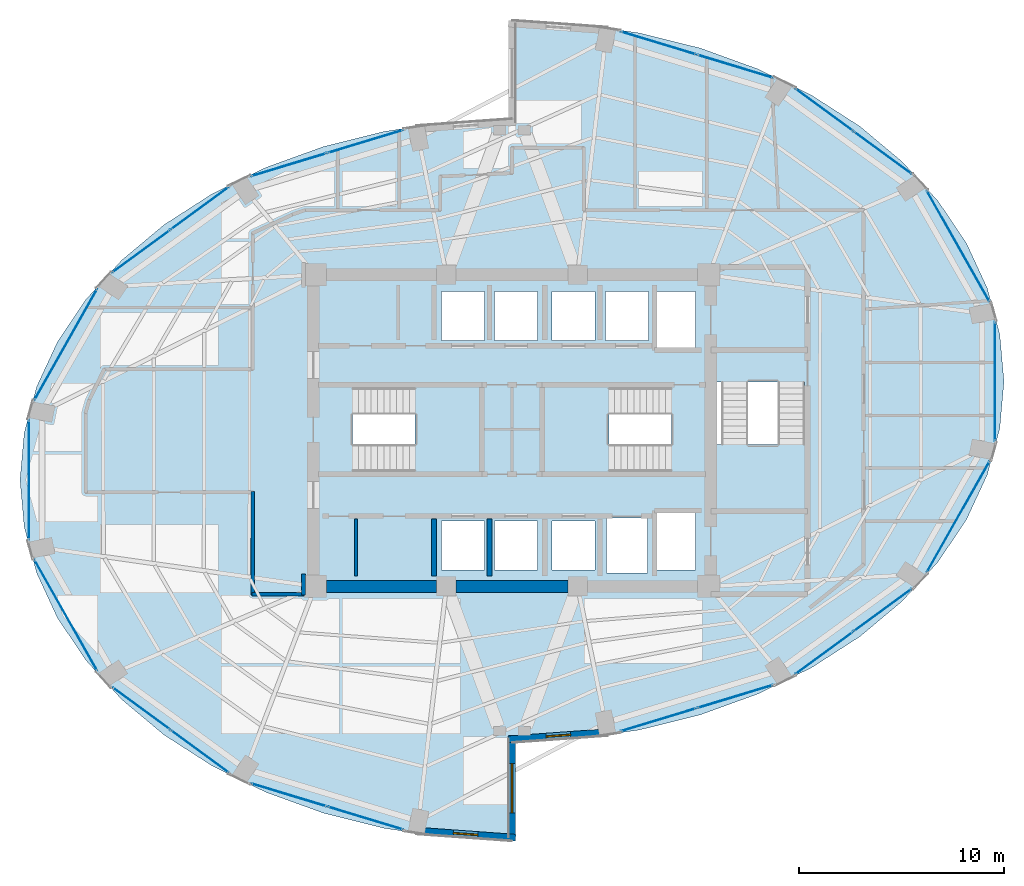
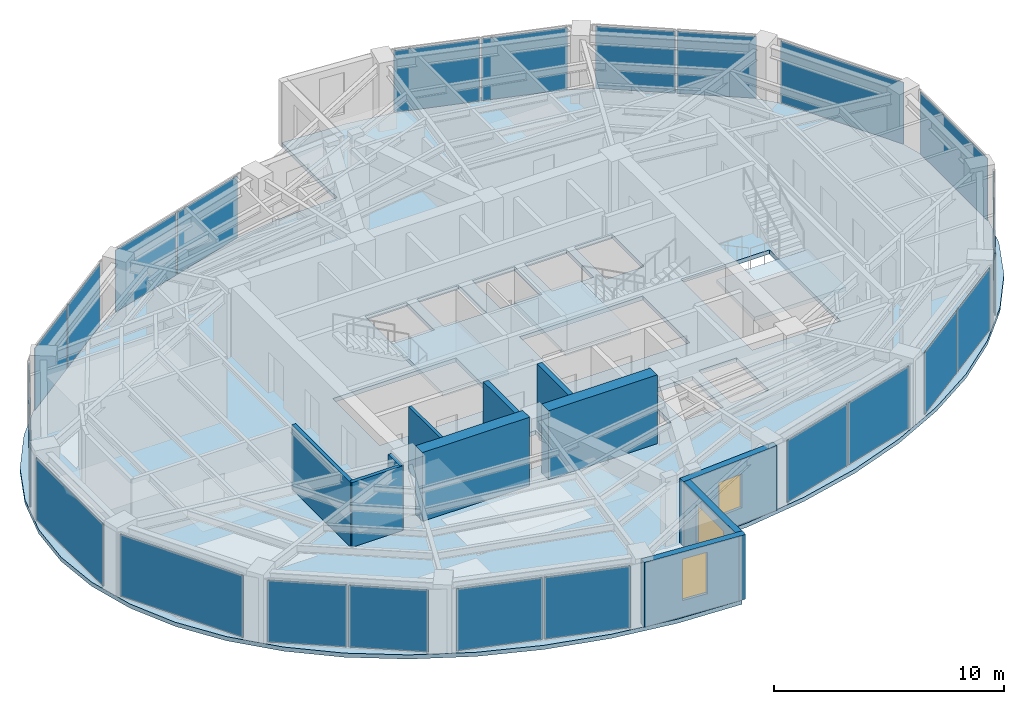
# One storey, part 15 of 20: 22 plates, 11 walls, 4 slabs, 3 windows, 3 openings, 17 elements without a shape of their own.
"""IFC4 building model written with IfcOpenShell, lengths in metres."""

from ifc_helpers import new_model, si_unit, direction, frame, frame_2d, origin, origin_2d, place, context, subcontext, project, spatial, polyline, rectangle, outline, extrude, material, layer, layer_set, type_object, element, fill, aggregate, save


model = new_model("IFC4")

# Units and contexts
model_context = context("Model", 3, precision=1e-05, world=origin(), true_north=direction((0.0, 1.0)))
body_context = subcontext(model_context, "Body", "Model", "MODEL_VIEW")
ifc_project = project(units=[si_unit("LENGTHUNIT", "METRE"), si_unit("AREAUNIT", "SQUARE_METRE"), si_unit("VOLUMEUNIT", "CUBIC_METRE"), si_unit("PLANEANGLEUNIT", "RADIAN"), si_unit("MASSUNIT", "GRAM", prefix="KILO")], contexts=[model_context])

# Site, building, storey
site_placement = place(None, origin())
site = spatial("IfcSite", under=ifc_project, at=site_placement, CompositionType="ELEMENT")
building_placement = place(site_placement, origin())
building = spatial("IfcBuilding", under=site, at=building_placement, Name="Lazwardi Medical Tower", CompositionType="ELEMENT")
storey_placement = place(building_placement, frame((0.0, 0.0, 160.176025390625)))
storey = spatial("IfcBuildingStorey", under=building, at=storey_placement, Name="L41", CompositionType="ELEMENT", Elevation=160.176025390625)

# Curtain wall, plates
ifc_material_1 = material(Name="Anodised bronze aluminium and solar control glazing", Category="aluminium")
ifc_layer_1 = layer(ifc_material_1, 0.195068359375)
ifc_layer_set_1 = layer_set([ifc_layer_1], Name="Anodised bronze aluminium and solar control glazing")
curtain_wall_type = type_object("IfcCurtainWallType", Name="CW-SYS-03", PredefinedType="NOTDEFINED", material=ifc_layer_set_1)
curtain_wall_1_placement = place(storey_placement, origin())
curtain_wall_1 = element("IfcCurtainWall", 1, at=curtain_wall_1_placement, inside=storey, type_object=curtain_wall_type, Name="L41 Unitised bronze curtain wall CW-03", PredefinedType="NOTDEFINED")
ifc_material_2 = material(Name="Low-e bronze solar control double glazing", Category="glass")
ifc_layer_2 = layer(ifc_material_2, 0.035888671875)
ifc_layer_set_2 = layer_set([ifc_layer_2], Name="Low-e bronze solar control double glazing")
plate_type = type_object("IfcPlateType", Name="PLT-GLZ-01", PredefinedType="CURTAIN_PANEL", material=ifc_layer_set_2)
plate_1_placement = place(storey_placement, frame((43.1435546875, 13.8935546875, 0.07470703125), z_axis=(0.0, 0.0, 1.0), x_axis=(0.956941516292, 0.290280785441, 0.0)))
plate_1 = element("IfcPlate", 2, at=plate_1_placement, type_object=plate_type, Name="CW-03 panel 1.1", PredefinedType="CURTAIN_PANEL", context=body_context, shape_type="SweptSolid", body=[
    extrude(rectangle(XDim=3.83642578125, YDim=0.035888671875, at=origin_2d()), origin(), (0.0, 0.0, 1.0), 3.278076171875),
])
plate_2_placement = place(storey_placement, frame((46.88671875, 15.029052734375, 0.07470703125), z_axis=(0.0, 0.0, 1.0), x_axis=(0.956941516292, 0.290280785441, 0.0)))
plate_2 = element("IfcPlate", 3, at=plate_2_placement, type_object=plate_type, Name="CW-03 panel 2.1", PredefinedType="CURTAIN_PANEL", context=body_context, shape_type="SweptSolid", body=[
    extrude(rectangle(XDim=3.83642578125, YDim=0.035888671875, at=origin_2d()), origin(), (0.0, 0.0, 1.0), 3.278076171875),
])
aggregate(curtain_wall_1, [plate_1, plate_2])

curtain_wall_2_placement = place(storey_placement, origin())
curtain_wall_2 = element("IfcCurtainWall", 4, at=curtain_wall_2_placement, inside=storey, type_object=curtain_wall_type, Name="L41 Unitised bronze curtain wall CW-03", PredefinedType="NOTDEFINED")
plate_3_placement = place(storey_placement, frame((51.2265625, 17.153076171875, 0.07470703125), z_axis=(0.0, 0.0, 1.0), x_axis=(0.806793249082, 0.590833862635, 0.0)))
plate_3 = element("IfcPlate", 5, at=plate_3_placement, type_object=plate_type, Name="CW-03 panel 1.1", PredefinedType="CURTAIN_PANEL", context=body_context, shape_type="SweptSolid", body=[
    extrude(rectangle(XDim=3.472412109375, YDim=0.035888671875, at=origin_2d()), origin(), (0.0, 0.0, 1.0), 3.278076171875),
])
plate_4_placement = place(storey_placement, frame((54.088623046875, 19.2490234375, 0.07470703125), z_axis=(0.0, 0.0, 1.0), x_axis=(0.806793249082, 0.590833862635, 0.0)))
plate_4 = element("IfcPlate", 6, at=plate_4_placement, type_object=plate_type, Name="CW-03 panel 2.1", PredefinedType="CURTAIN_PANEL", context=body_context, shape_type="SweptSolid", body=[
    extrude(rectangle(XDim=3.472412109375, YDim=0.035888671875, at=origin_2d()), origin(), (0.0, 0.0, 1.0), 3.278076171875),
])
aggregate(curtain_wall_2, [plate_3, plate_4])

# Curtain wall, plate
curtain_wall_3_placement = place(storey_placement, origin())
curtain_wall_3 = element("IfcCurtainWall", 7, at=curtain_wall_3_placement, inside=storey, type_object=curtain_wall_type, Name="L41 Unitised bronze curtain wall CW-03", PredefinedType="NOTDEFINED")
plate_5_placement = place(storey_placement, frame((57.764404296875, 23.798095703125, 0.07470703125), z_axis=(0.0, 0.0, 1.0), x_axis=(0.492311672683, 0.870418989303, 0.0)))
plate_5 = element("IfcPlate", 8, at=plate_5_placement, type_object=plate_type, Name="CW-03 panel 1.1", PredefinedType="CURTAIN_PANEL", context=body_context, shape_type="SweptSolid", body=[
    extrude(rectangle(XDim=6.208740234375, YDim=0.035888671875, at=origin_2d()), origin(), (0.0, 0.0, 1.0), 3.278076171875),
])
aggregate(curtain_wall_3, [plate_5])

curtain_wall_4_placement = place(storey_placement, origin())
curtain_wall_4 = element("IfcCurtainWall", 9, at=curtain_wall_4_placement, inside=storey, type_object=curtain_wall_type, Name="L41 Unitised bronze curtain wall CW-03", PredefinedType="NOTDEFINED")
plate_6_placement = place(storey_placement, frame((59.5576171875, 30.39990234375, 0.07470703125), z_axis=(0.0, 0.0, 1.0), x_axis=(0.0, 1.0, 0.0)))
plate_6 = element("IfcPlate", 10, at=plate_6_placement, type_object=plate_type, Name="CW-03 panel 1.1", PredefinedType="CURTAIN_PANEL", context=body_context, shape_type="SweptSolid", body=[
    extrude(rectangle(XDim=5.8408203125, YDim=0.035888671875, at=origin_2d()), origin(), (0.0, 0.0, 1.0), 3.278076171875),
])
aggregate(curtain_wall_4, [plate_6])

curtain_wall_5_placement = place(storey_placement, origin())
curtain_wall_5 = element("IfcCurtainWall", 11, at=curtain_wall_5_placement, inside=storey, type_object=curtain_wall_type, Name="L41 Unitised bronze curtain wall CW-03", PredefinedType="NOTDEFINED")
plate_7_placement = place(storey_placement, frame((57.764404296875, 37.001953125, 0.07470703125), z_axis=(0.0, 0.0, 1.0), x_axis=(-0.492311672683, 0.870418989303, 0.0)))
plate_7 = element("IfcPlate", 12, at=plate_7_placement, type_object=plate_type, Name="CW-03 panel 1.1", PredefinedType="CURTAIN_PANEL", context=body_context, shape_type="SweptSolid", body=[
    extrude(rectangle(XDim=6.208740234375, YDim=0.035888671875, at=origin_2d()), origin(), (0.0, 0.0, 1.0), 3.278076171875),
])
aggregate(curtain_wall_5, [plate_7])

# Curtain wall, plates
curtain_wall_6_placement = place(storey_placement, origin())
curtain_wall_6 = element("IfcCurtainWall", 13, at=curtain_wall_6_placement, inside=storey, type_object=curtain_wall_type, Name="L41 Unitised bronze curtain wall CW-03", PredefinedType="NOTDEFINED")
plate_8_placement = place(storey_placement, frame((54.088623046875, 41.551025390625, 0.07470703125), z_axis=(0.0, 0.0, 1.0), x_axis=(-0.806793249082, 0.590833862635, 0.0)))
plate_8 = element("IfcPlate", 14, at=plate_8_placement, type_object=plate_type, Name="CW-03 panel 1.1", PredefinedType="CURTAIN_PANEL", context=body_context, shape_type="SweptSolid", body=[
    extrude(rectangle(XDim=3.472412109375, YDim=0.035888671875, at=origin_2d()), origin(), (0.0, 0.0, 1.0), 3.278076171875),
])
plate_9_placement = place(storey_placement, frame((51.2265625, 43.64697265625, 0.07470703125), z_axis=(0.0, 0.0, 1.0), x_axis=(-0.806793249082, 0.590833862635, 0.0)))
plate_9 = element("IfcPlate", 15, at=plate_9_placement, type_object=plate_type, Name="CW-03 panel 2.1", PredefinedType="CURTAIN_PANEL", context=body_context, shape_type="SweptSolid", body=[
    extrude(rectangle(XDim=3.472412109375, YDim=0.035888671875, at=origin_2d()), origin(), (0.0, 0.0, 1.0), 3.278076171875),
])
aggregate(curtain_wall_6, [plate_8, plate_9])

curtain_wall_7_placement = place(storey_placement, origin())
curtain_wall_7 = element("IfcCurtainWall", 16, at=curtain_wall_7_placement, inside=storey, type_object=curtain_wall_type, Name="L41 Unitised bronze curtain wall CW-03", PredefinedType="NOTDEFINED")
plate_10_placement = place(storey_placement, frame((46.88671875, 45.77099609375, 0.07470703125), z_axis=(0.0, 0.0, 1.0), x_axis=(-0.956941516292, 0.290280785441, 0.0)))
plate_10 = element("IfcPlate", 17, at=plate_10_placement, type_object=plate_type, Name="CW-03 panel 1.1", PredefinedType="CURTAIN_PANEL", context=body_context, shape_type="SweptSolid", body=[
    extrude(rectangle(XDim=3.83642578125, YDim=0.035888671875, at=origin_2d()), origin(), (0.0, 0.0, 1.0), 3.278076171875),
])
plate_11_placement = place(storey_placement, frame((43.1435546875, 46.906494140625, 0.07470703125), z_axis=(0.0, 0.0, 1.0), x_axis=(-0.956941516292, 0.290280785441, 0.0)))
plate_11 = element("IfcPlate", 18, at=plate_11_placement, type_object=plate_type, Name="CW-03 panel 2.1", PredefinedType="CURTAIN_PANEL", context=body_context, shape_type="SweptSolid", body=[
    extrude(rectangle(XDim=3.83642578125, YDim=0.035888671875, at=origin_2d()), origin(), (0.0, 0.0, 1.0), 3.278076171875),
])
aggregate(curtain_wall_7, [plate_10, plate_11])

curtain_wall_8_placement = place(storey_placement, origin())
curtain_wall_8 = element("IfcCurtainWall", 19, at=curtain_wall_8_placement, inside=storey, type_object=curtain_wall_type, Name="L41 Unitised bronze curtain wall CW-03", PredefinedType="NOTDEFINED")
plate_12_placement = place(storey_placement, frame((28.8564453125, 42.1064453125, 0.07470703125), z_axis=(0.0, 0.0, 1.0), x_axis=(-0.956941516292, -0.290280785441, 0.0)))
plate_12 = element("IfcPlate", 20, at=plate_12_placement, type_object=plate_type, Name="CW-03 panel 1.1", PredefinedType="CURTAIN_PANEL", context=body_context, shape_type="SweptSolid", body=[
    extrude(rectangle(XDim=3.83642578125, YDim=0.035888671875, at=origin_2d()), origin(), (0.0, 0.0, 1.0), 3.278076171875),
])
plate_13_placement = place(storey_placement, frame((25.11328125, 40.970947265625, 0.07470703125), z_axis=(0.0, 0.0, 1.0), x_axis=(-0.956941516292, -0.290280785441, 0.0)))
plate_13 = element("IfcPlate", 21, at=plate_13_placement, type_object=plate_type, Name="CW-03 panel 2.1", PredefinedType="CURTAIN_PANEL", context=body_context, shape_type="SweptSolid", body=[
    extrude(rectangle(XDim=3.83642578125, YDim=0.035888671875, at=origin_2d()), origin(), (0.0, 0.0, 1.0), 3.278076171875),
])
aggregate(curtain_wall_8, [plate_12, plate_13])

curtain_wall_9_placement = place(storey_placement, origin())
curtain_wall_9 = element("IfcCurtainWall", 22, at=curtain_wall_9_placement, inside=storey, type_object=curtain_wall_type, Name="L41 Unitised bronze curtain wall CW-03", PredefinedType="NOTDEFINED")
plate_14_placement = place(storey_placement, frame((20.7734375, 38.846923828125, 0.07470703125), z_axis=(0.0, 0.0, 1.0), x_axis=(-0.806793249082, -0.590833862635, 0.0)))
plate_14 = element("IfcPlate", 23, at=plate_14_placement, type_object=plate_type, Name="CW-03 panel 1.1", PredefinedType="CURTAIN_PANEL", context=body_context, shape_type="SweptSolid", body=[
    extrude(rectangle(XDim=3.472412109375, YDim=0.035888671875, at=origin_2d()), origin(), (0.0, 0.0, 1.0), 3.278076171875),
])
plate_15_placement = place(storey_placement, frame((17.911376953125, 36.7509765625, 0.07470703125), z_axis=(0.0, 0.0, 1.0), x_axis=(-0.806793249082, -0.590833862635, 0.0)))
plate_15 = element("IfcPlate", 24, at=plate_15_placement, type_object=plate_type, Name="CW-03 panel 2.1", PredefinedType="CURTAIN_PANEL", context=body_context, shape_type="SweptSolid", body=[
    extrude(rectangle(XDim=3.472412109375, YDim=0.035888671875, at=origin_2d()), origin(), (0.0, 0.0, 1.0), 3.278076171875),
])
aggregate(curtain_wall_9, [plate_14, plate_15])

# Curtain wall, plate
curtain_wall_10_placement = place(storey_placement, origin())
curtain_wall_10 = element("IfcCurtainWall", 25, at=curtain_wall_10_placement, inside=storey, type_object=curtain_wall_type, Name="L41 Unitised bronze curtain wall CW-03", PredefinedType="NOTDEFINED")
plate_16_placement = place(storey_placement, frame((14.235595703125, 32.201904296875, 0.07470703125), z_axis=(0.0, 0.0, 1.0), x_axis=(-0.492311672683, -0.870418989303, 0.0)))
plate_16 = element("IfcPlate", 26, at=plate_16_placement, type_object=plate_type, Name="CW-03 panel 1.1", PredefinedType="CURTAIN_PANEL", context=body_context, shape_type="SweptSolid", body=[
    extrude(rectangle(XDim=6.208740234375, YDim=0.035888671875, at=origin_2d()), origin(), (0.0, 0.0, 1.0), 3.278076171875),
])
aggregate(curtain_wall_10, [plate_16])

curtain_wall_11_placement = place(storey_placement, origin())
curtain_wall_11 = element("IfcCurtainWall", 27, at=curtain_wall_11_placement, inside=storey, type_object=curtain_wall_type, Name="L41 Unitised bronze curtain wall CW-03", PredefinedType="NOTDEFINED")
plate_17_placement = place(storey_placement, frame((12.4423828125, 25.60009765625, 0.07470703125), z_axis=(0.0, 0.0, 1.0), x_axis=(0.0, -1.0, 0.0)))
plate_17 = element("IfcPlate", 28, at=plate_17_placement, type_object=plate_type, Name="CW-03 panel 1.1", PredefinedType="CURTAIN_PANEL", context=body_context, shape_type="SweptSolid", body=[
    extrude(rectangle(XDim=5.8408203125, YDim=0.035888671875, at=origin_2d()), origin(), (0.0, 0.0, 1.0), 3.278076171875),
])
aggregate(curtain_wall_11, [plate_17])

curtain_wall_12_placement = place(storey_placement, origin())
curtain_wall_12 = element("IfcCurtainWall", 29, at=curtain_wall_12_placement, inside=storey, type_object=curtain_wall_type, Name="L41 Unitised bronze curtain wall CW-03", PredefinedType="NOTDEFINED")
plate_18_placement = place(storey_placement, frame((14.235595703125, 18.998046875, 0.07470703125), z_axis=(0.0, 0.0, 1.0), x_axis=(0.492311672683, -0.870418989303, 0.0)))
plate_18 = element("IfcPlate", 30, at=plate_18_placement, type_object=plate_type, Name="CW-03 panel 1.1", PredefinedType="CURTAIN_PANEL", context=body_context, shape_type="SweptSolid", body=[
    extrude(rectangle(XDim=6.208740234375, YDim=0.035888671875, at=origin_2d()), origin(), (0.0, 0.0, 1.0), 3.278076171875),
])
aggregate(curtain_wall_12, [plate_18])

# Curtain wall, plates
curtain_wall_13_placement = place(storey_placement, origin())
curtain_wall_13 = element("IfcCurtainWall", 31, at=curtain_wall_13_placement, inside=storey, type_object=curtain_wall_type, Name="L41 Unitised bronze curtain wall CW-03", PredefinedType="NOTDEFINED")
plate_19_placement = place(storey_placement, frame((17.911376953125, 14.448974609375, 0.07470703125), z_axis=(0.0, 0.0, 1.0), x_axis=(0.806793249082, -0.590833862635, 0.0)))
plate_19 = element("IfcPlate", 32, at=plate_19_placement, type_object=plate_type, Name="CW-03 panel 1.1", PredefinedType="CURTAIN_PANEL", context=body_context, shape_type="SweptSolid", body=[
    extrude(rectangle(XDim=3.472412109375, YDim=0.035888671875, at=origin_2d()), origin(), (0.0, 0.0, 1.0), 3.278076171875),
])
plate_20_placement = place(storey_placement, frame((20.7734375, 12.35302734375, 0.07470703125), z_axis=(0.0, 0.0, 1.0), x_axis=(0.806793249082, -0.590833862635, 0.0)))
plate_20 = element("IfcPlate", 33, at=plate_20_placement, type_object=plate_type, Name="CW-03 panel 2.1", PredefinedType="CURTAIN_PANEL", context=body_context, shape_type="SweptSolid", body=[
    extrude(rectangle(XDim=3.472412109375, YDim=0.035888671875, at=origin_2d()), origin(), (0.0, 0.0, 1.0), 3.278076171875),
])
aggregate(curtain_wall_13, [plate_19, plate_20])

curtain_wall_14_placement = place(storey_placement, origin())
curtain_wall_14 = element("IfcCurtainWall", 34, at=curtain_wall_14_placement, inside=storey, type_object=curtain_wall_type, Name="L41 Unitised bronze curtain wall CW-03", PredefinedType="NOTDEFINED")
plate_21_placement = place(storey_placement, frame((25.11328125, 10.22900390625, 0.07470703125), z_axis=(0.0, 0.0, 1.0), x_axis=(0.956941516292, -0.290280785441, 0.0)))
plate_21 = element("IfcPlate", 35, at=plate_21_placement, type_object=plate_type, Name="CW-03 panel 1.1", PredefinedType="CURTAIN_PANEL", context=body_context, shape_type="SweptSolid", body=[
    extrude(rectangle(XDim=3.83642578125, YDim=0.035888671875, at=origin_2d()), origin(), (0.0, 0.0, 1.0), 3.278076171875),
])
plate_22_placement = place(storey_placement, frame((28.8564453125, 9.093505859375, 0.07470703125), z_axis=(0.0, 0.0, 1.0), x_axis=(0.956941516292, -0.290280785441, 0.0)))
plate_22 = element("IfcPlate", 36, at=plate_22_placement, type_object=plate_type, Name="CW-03 panel 2.1", PredefinedType="CURTAIN_PANEL", context=body_context, shape_type="SweptSolid", body=[
    extrude(rectangle(XDim=3.83642578125, YDim=0.035888671875, at=origin_2d()), origin(), (0.0, 0.0, 1.0), 3.278076171875),
])
aggregate(curtain_wall_14, [plate_21, plate_22])

# Stair, slab
ifc_material_3 = material(Name="Concrete C45/55", Category="concrete")
stair_type = type_object("IfcStairType", Name="STR-WRD", PredefinedType="HALF_TURN_STAIR", material=ifc_material_3)
stair_1_placement = place(storey_placement, origin())
stair_1 = element("IfcStair", 37, at=stair_1_placement, inside=storey, type_object=stair_type, Name="L41 Protected Exit Stair ST1", PredefinedType="HALF_TURN_STAIR")
ifc_layer_3 = layer(ifc_material_3, 0.199951171875)
ifc_layer_set_3 = layer_set([ifc_layer_3], Name="Concrete C45/55")
slab_type_1 = type_object("IfcSlabType", Name="SLB-LND-190", PredefinedType="LANDING", material=ifc_layer_set_3)
slab_1_placement = place(storey_placement, frame((0.0, 0.0, 1.6240234375)))
slab_1 = element("IfcSlab", 38, at=slab_1_placement, type_object=slab_type_1, Name="ST1 landing 1", PredefinedType="LANDING", context=body_context, shape_type="SweptSolid", body=[
    extrude(outline(polyline([(31.27490234375, 25.840087890625), (34.580078125, 25.840087890625), (34.580078125, 30.280029296875), (31.27490234375, 30.280029296875), (31.27490234375, 25.840087890625)])), origin(), (0.0, 0.0, 1.0), 0.199951171875),
])
aggregate(stair_1, [slab_1])

stair_2_placement = place(storey_placement, origin())
stair_2 = element("IfcStair", 39, at=stair_2_placement, inside=storey, type_object=stair_type, Name="L41 Protected Exit Stair ST2", PredefinedType="HALF_TURN_STAIR")
slab_2_placement = place(storey_placement, frame((0.0, 0.0, 1.6240234375)))
slab_2 = element("IfcSlab", 40, at=slab_2_placement, type_object=slab_type_1, Name="ST2 landing 1", PredefinedType="LANDING", context=body_context, shape_type="SweptSolid", body=[
    extrude(outline(polyline([(40.72509765625, 30.280029296875), (37.419921875, 30.280029296875), (37.419921875, 25.840087890625), (40.72509765625, 25.840087890625), (40.72509765625, 30.280029296875)])), origin(), (0.0, 0.0, 1.0), 0.199951171875),
])
aggregate(stair_2, [slab_2])

stair_3_placement = place(storey_placement, origin())
stair_3 = element("IfcStair", 41, at=stair_3_placement, inside=storey, type_object=stair_type, Name="L41 Protected Exit Stair ST3", PredefinedType="HALF_TURN_STAIR")
slab_3_placement = place(storey_placement, frame((0.0, 0.0, 1.6240234375)))
slab_3 = element("IfcSlab", 42, at=slab_3_placement, type_object=slab_type_1, Name="ST3 landing 1", PredefinedType="LANDING", context=body_context, shape_type="SweptSolid", body=[
    extrude(outline(polyline([(45.860107421875, 27.324951171875), (45.860107421875, 24.02001953125), (50.4599609375, 24.02001953125), (50.4599609375, 27.324951171875), (45.860107421875, 27.324951171875)])), origin(), (0.0, 0.0, 1.0), 0.199951171875),
])
aggregate(stair_3, [slab_3])

# Slab
ifc_material_4 = material(Name="Concrete C50/60", Category="concrete")
ifc_layer_4 = layer(ifc_material_4, 0.219970703125)
ifc_layer_set_4 = layer_set([ifc_layer_4], Name="Concrete C50/60")
slab_type_2 = type_object("IfcSlabType", Name="SLB-WRD-220", PredefinedType="FLOOR", material=ifc_layer_set_4)
slab_4_placement = place(storey_placement, frame((0.0, 0.0, -0.219970703125)))
element("IfcSlab", 43, at=slab_4_placement, inside=storey, type_object=slab_type_2, Name="Structural floor slab SF-03 L41", PredefinedType="FLOOR", context=body_context, shape_type="SweptSolid", body=[
    extrude(outline(polyline([(12.205322265625, 23.302734375), (12.81787109375, 21.044921875), (13.826904296875, 18.86474609375), (15.21533203125, 16.800048828125), (16.95947265625, 14.8857421875), (19.029296875, 13.15478515625), (21.3896484375, 11.636962890625), (24.0, 10.35791015625), (26.815673828125, 9.339599609375), (29.788330078125, 8.599609375), (32.867431640625, 8.150634765625), (36.0, 8.0), (36.0, 12.800048828125), (39.132568359375, 12.95068359375), (42.211669921875, 13.399658203125), (45.184326171875, 14.1396484375), (48.0, 15.157958984375), (50.6103515625, 16.43701171875), (52.970703125, 17.954833984375), (55.04052734375, 19.685791015625), (56.78466796875, 21.60009765625), (58.173095703125, 23.664794921875), (59.18212890625, 25.8447265625), (59.794677734375, 28.102783203125), (60.0, 30.39990234375), (59.794677734375, 32.697265625), (59.18212890625, 34.955078125), (58.173095703125, 37.13525390625), (56.78466796875, 39.199951171875), (55.04052734375, 41.1142578125), (52.970703125, 42.84521484375), (50.6103515625, 44.363037109375), (48.0, 45.64208984375), (45.184326171875, 46.660400390625), (42.211669921875, 47.400390625), (39.132568359375, 47.849365234375), (36.0, 48.0), (36.0, 43.199951171875), (32.867431640625, 43.04931640625), (29.788330078125, 42.600341796875), (26.815673828125, 41.8603515625), (24.0, 40.842041015625), (21.3896484375, 39.56298828125), (19.029296875, 38.045166015625), (16.95947265625, 36.314208984375), (15.21533203125, 34.39990234375), (13.826904296875, 32.335205078125), (12.81787109375, 30.1552734375), (12.205322265625, 27.897216796875), (12.0, 25.60009765625), (12.205322265625, 23.302734375)]), holes=[polyline([(28.22509765625, 26.02001953125), (28.22509765625, 30.10009765625), (34.39990234375, 30.10009765625), (34.39990234375, 26.02001953125), (28.22509765625, 26.02001953125)]), polyline([(37.60009765625, 30.10009765625), (43.77490234375, 30.10009765625), (43.77490234375, 26.02001953125), (37.60009765625, 26.02001953125), (37.60009765625, 30.10009765625)]), polyline([(50.280029296875, 30.375), (50.280029296875, 24.179931640625), (45.840087890625, 24.179931640625), (45.840087890625, 30.375), (50.280029296875, 30.375)]), polyline([(34.64990234375, 32.39990234375), (32.550048828125, 32.39990234375), (32.550048828125, 34.800048828125), (34.64990234375, 34.800048828125), (34.64990234375, 32.39990234375)]), polyline([(35.14990234375, 32.39990234375), (35.14990234375, 34.800048828125), (37.25, 34.800048828125), (37.25, 32.39990234375), (35.14990234375, 32.39990234375)]), polyline([(32.550048828125, 23.60009765625), (34.64990234375, 23.60009765625), (34.64990234375, 21.199951171875), (32.550048828125, 21.199951171875), (32.550048828125, 23.60009765625)]), polyline([(37.25, 23.60009765625), (37.25, 21.199951171875), (35.14990234375, 21.199951171875), (35.14990234375, 23.60009765625), (37.25, 23.60009765625)]), polyline([(40.050048828125, 32.39990234375), (37.949951171875, 32.39990234375), (37.949951171875, 34.800048828125), (40.050048828125, 34.800048828125), (40.050048828125, 32.39990234375)]), polyline([(40.550048828125, 32.39990234375), (40.550048828125, 34.800048828125), (42.64990234375, 34.800048828125), (42.64990234375, 32.39990234375), (40.550048828125, 32.39990234375)]), polyline([(37.949951171875, 23.60009765625), (40.050048828125, 23.60009765625), (40.050048828125, 21.199951171875), (37.949951171875, 21.199951171875), (37.949951171875, 23.60009765625)]), polyline([(44.949951171875, 34.800048828125), (44.949951171875, 32.0), (43.050048828125, 32.0), (43.050048828125, 34.800048828125), (44.949951171875, 34.800048828125)]), polyline([(44.949951171875, 21.199951171875), (43.050048828125, 21.199951171875), (43.050048828125, 24.0), (44.949951171875, 24.0), (44.949951171875, 21.199951171875)]), polyline([(40.60009765625, 21.050048828125), (40.60009765625, 23.75), (42.60009765625, 23.75), (42.60009765625, 21.050048828125), (40.60009765625, 21.050048828125)])]), origin(), (0.0, 0.0, 1.0), 0.219970703125),
])

# Walls
ifc_material_5 = material(Name="Fire-rated gypsum board on steel stud", Category="steel")
ifc_layer_5 = layer(ifc_material_5, 0.179931640625)
ifc_layer_set_5 = layer_set([ifc_layer_5], Name="Fire-rated gypsum board on steel stud")
wall_type_1 = type_object("IfcWallType", Name="WL-COR-180", PredefinedType="PARTITIONING", material=ifc_layer_set_5)
wall_1_placement = place(storey_placement, frame((25.830078125, 21.010009765625, 0.0), z_axis=(0.0, 0.0, 1.0), x_axis=(0.0, -1.0, 0.0)))
element("IfcWall", 44, at=wall_1_placement, inside=storey, type_object=wall_type_1, Name="L41 Corridor partition 16", PredefinedType="PARTITIONING", context=body_context, shape_type="SweptSolid", body=[
    extrude(rectangle(XDim=1.030029296875, YDim=0.179931640625, at=frame_2d((0.51513671875, 0.0))), origin(), (0.0, 0.0, 1.0), 3.427978515625),
])
wall_2_placement = place(storey_placement, frame((25.8701171875, 20.02001953125, 0.0), z_axis=(0.0, 0.0, 1.0), x_axis=(-1.0, 0.0, 0.0)))
element("IfcWall", 45, at=wall_2_placement, inside=storey, type_object=wall_type_1, Name="L41 Corridor partition 17", PredefinedType="PARTITIONING", context=body_context, shape_type="SweptSolid", body=[
    extrude(rectangle(XDim=2.56005859375, YDim=0.179931640625, at=frame_2d((1.280029296875, 0.0))), origin(), (0.0, 0.0, 1.0), 3.427978515625),
])
wall_3_placement = place(storey_placement, frame((23.35009765625, 19.97998046875, 0.0), z_axis=(0.0, 0.0, 1.0), x_axis=(0.0, 1.0, 0.0)))
element("IfcWall", 46, at=wall_3_placement, inside=storey, type_object=wall_type_1, Name="L41 Corridor partition 18", PredefinedType="PARTITIONING", context=body_context, shape_type="SweptSolid", body=[
    extrude(rectangle(XDim=5.06005859375, YDim=0.179931640625, at=frame_2d((2.530029296875, 0.0))), origin(), (0.0, 0.0, 1.0), 3.427978515625),
])
ifc_material_6 = material(Name="Concrete C60/75", Category="concrete")
ifc_layer_6 = layer(ifc_material_6, 0.60009765625)
ifc_layer_set_6 = layer_set([ifc_layer_6], Name="Concrete C60/75")
wall_type_2 = type_object("IfcWallType", Name="WL-CORE-600", PredefinedType="SHEAR", material=ifc_layer_set_6)
wall_4_placement = place(storey_placement, frame((26.949951171875, 20.39990234375, 0.0), z_axis=(0.0, 0.0, 1.0), x_axis=(1.0, 0.0, 0.0)))
element("IfcWall", 47, at=wall_4_placement, inside=storey, type_object=wall_type_2, Name="Core wall CW-S3 S1 L41", PredefinedType="SHEAR", context=body_context, shape_type="SweptSolid", body=[
    extrude(rectangle(XDim=5.375, YDim=0.60009765625, at=frame_2d((2.6875, 0.0))), origin(), (0.0, 0.0, 1.0), 3.64794921875),
])
wall_5_placement = place(storey_placement, frame((33.27490234375, 20.39990234375, 0.0), z_axis=(0.0, 0.0, 1.0), x_axis=(1.0, 0.0, 0.0)))
element("IfcWall", 48, at=wall_5_placement, inside=storey, type_object=wall_type_2, Name="Core wall CW-S3 S2 L41", PredefinedType="SHEAR", context=body_context, shape_type="SweptSolid", body=[
    extrude(rectangle(XDim=5.4501953125, YDim=0.60009765625, at=frame_2d((2.72509765625, 0.0))), origin(), (0.0, 0.0, 1.0), 3.64794921875),
])

# Wall, opening, window
ifc_material_7 = material(Name="Precast concrete C45/55", Category="concrete")
ifc_layer_7 = layer(ifc_material_7, 0.320068359375)
ifc_layer_set_7 = layer_set([ifc_layer_7], Name="Precast concrete C45/55")
wall_type_3 = type_object("IfcWallType", Name="WL-IWAN-320", PredefinedType="SOLIDWALL", material=ifc_layer_set_7)
wall_6_placement = place(storey_placement, frame((35.820556640625, 12.947021484375, 0.0), z_axis=(0.0, 0.0, 1.0), x_axis=(0.997415460462, 0.071849838072, 0.0)))
wall_6 = element("IfcWall", 49, at=wall_6_placement, inside=storey, type_object=wall_type_3, Name="L41 Iwan Portal Return Wall SE_ret", PredefinedType="SOLIDWALL", context=body_context, shape_type="SweptSolid", body=[
    extrude(rectangle(XDim=4.89306640625, YDim=0.320068359375, at=frame_2d((2.446533203125, 0.0))), origin(), (0.0, 0.0, 1.0), 3.427978515625),
])
opening_1_placement = place(wall_6_placement, frame((1.846435546875, 0.0, 0.85009765625)))
opening_1 = element("IfcOpeningElement", 50, at=opening_1_placement, cuts=wall_6, Name="Opening WN-04", PredefinedType="OPENING", context=body_context, shape_type="SweptSolid", body=[
    extrude(rectangle(XDim=1.199951171875, YDim=1.800048828125, at=frame_2d((0.60009765625, 0.89990234375))), frame((0.0, 0.169921875, 0.0), z_axis=(0.0, -1.0, 0.0), x_axis=(1.0, 0.0, 0.0)), (0.0, 0.0, 1.0), 0.340087890625),
])
window_type_1 = type_object("IfcWindowType", Name="WIN-DRUM-1200", PartitioningType="SINGLE_PANEL", PredefinedType="WINDOW", material=ifc_material_2)
window_1_placement = place(opening_1_placement, origin())
window_1 = element("IfcWindow", 51, at=window_1_placement, inside=storey, type_object=window_type_1, Name="L41 Iwan Slot Window SE_ret", OverallHeight=1.800048828125, OverallWidth=1.199951171875, PartitioningType="SINGLE_PANEL", PredefinedType="WINDOW", context=body_context, shape_type="SweptSolid", body=[
    extrude(rectangle(XDim=1.199951171875, YDim=1.800048828125, at=frame_2d((0.60009765625, 0.89990234375))), frame((0.0, 0.030029296875, 0.0), z_axis=(0.0, -1.0, 0.0), x_axis=(1.0, 0.0, 0.0)), (0.0, 0.0, 1.0), 0.06005859375),
])
fill(opening_1, window_1)

wall_7_placement = place(storey_placement, frame((31.299072265625, 8.498779296875, 0.0), z_axis=(0.0, 0.0, 1.0), x_axis=(0.997415202861, -0.071853413984, 0.0)))
wall_7 = element("IfcWall", 52, at=wall_7_placement, inside=storey, type_object=wall_type_3, Name="L41 Iwan Portal Return Wall SW_ret", PredefinedType="SOLIDWALL", context=body_context, shape_type="SweptSolid", body=[
    extrude(rectangle(XDim=4.892822265625, YDim=0.320068359375, at=frame_2d((2.4462890625, 0.0))), origin(), (0.0, 0.0, 1.0), 3.427978515625),
])
opening_2_placement = place(wall_7_placement, frame((1.84619140625, 0.0, 0.85009765625)))
opening_2 = element("IfcOpeningElement", 53, at=opening_2_placement, cuts=wall_7, Name="Opening WN-01", PredefinedType="OPENING", context=body_context, shape_type="SweptSolid", body=[
    extrude(rectangle(XDim=1.199951171875, YDim=2.199951171875, at=frame_2d((0.60009765625, 1.10009765625))), frame((0.0, 0.169921875, 0.0), z_axis=(0.0, -1.0, 0.0), x_axis=(1.0, 0.0, 0.0)), (0.0, 0.0, 1.0), 0.340087890625),
])
window_type_2 = type_object("IfcWindowType", Name="WIN-IW-1200", PartitioningType="SINGLE_PANEL", PredefinedType="WINDOW", material=ifc_material_2)
window_2_placement = place(opening_2_placement, origin())
window_2 = element("IfcWindow", 54, at=window_2_placement, inside=storey, type_object=window_type_2, Name="L41 Iwan Slot Window SW_ret", OverallHeight=2.199951171875, OverallWidth=1.199951171875, PartitioningType="SINGLE_PANEL", PredefinedType="WINDOW", context=body_context, shape_type="SweptSolid", body=[
    extrude(rectangle(XDim=1.199951171875, YDim=2.199951171875, at=frame_2d((0.60009765625, 1.10009765625))), frame((0.0, 0.030029296875, 0.0), z_axis=(0.0, -1.0, 0.0), x_axis=(1.0, 0.0, 0.0)), (0.0, 0.0, 1.0), 0.06005859375),
])
fill(opening_2, window_2)

wall_8_placement = place(storey_placement, frame((36.0, 8.0, 0.0), z_axis=(0.0, 0.0, 1.0), x_axis=(0.0, 1.0, 0.0)))
wall_8 = element("IfcWall", 55, at=wall_8_placement, inside=storey, type_object=wall_type_3, Name="L41 Turquoise Tilework Iwan Seam Wall S_seam", PredefinedType="SOLIDWALL", context=body_context, shape_type="SweptSolid", body=[
    extrude(rectangle(XDim=5.1201171875, YDim=0.320068359375, at=frame_2d((2.56005859375, 0.0))), origin(), (0.0, 0.0, 1.0), 3.427978515625),
])
opening_3_placement = place(wall_8_placement, frame((1.360107421875, 0.0, 0.840087890625)))
opening_3 = element("IfcOpeningElement", 56, at=opening_3_placement, cuts=wall_8, Name="Opening WN-02", PredefinedType="OPENING", context=body_context, shape_type="SweptSolid", body=[
    extrude(rectangle(XDim=2.39990234375, YDim=2.0400390625, at=frame_2d((1.199951171875, 1.02001953125))), frame((0.0, 0.169921875, 0.0), z_axis=(0.0, -1.0, 0.0), x_axis=(1.0, 0.0, 0.0)), (0.0, 0.0, 1.0), 0.340087890625),
])
window_type_3 = type_object("IfcWindowType", Name="WIN-IW-2400", PartitioningType="SINGLE_PANEL", PredefinedType="WINDOW", material=ifc_material_2)
window_3_placement = place(opening_3_placement, origin())
window_3 = element("IfcWindow", 57, at=window_3_placement, inside=storey, type_object=window_type_3, Name="L41 Iwan Seam Window S_seam", OverallHeight=2.0400390625, OverallWidth=2.39990234375, PartitioningType="SINGLE_PANEL", PredefinedType="WINDOW", context=body_context, shape_type="SweptSolid", body=[
    extrude(rectangle(XDim=2.39990234375, YDim=2.0400390625, at=frame_2d((1.199951171875, 1.02001953125))), frame((0.0, 0.030029296875, 0.0), z_axis=(0.0, -1.0, 0.0), x_axis=(1.0, 0.0, 0.0)), (0.0, 0.0, 1.0), 0.06005859375),
])
fill(opening_3, window_3)

# Walls
ifc_material_8 = material(Name="Autoclaved aerated concrete blockwork", Category="masonry")
ifc_layer_8 = layer(ifc_material_8, 0.25)
ifc_layer_set_8 = layer_set([ifc_layer_8], Name="Autoclaved aerated concrete blockwork")
wall_type_4 = type_object("IfcWallType", Name="WL-SHAFT-250", PredefinedType="SOLIDWALL", material=ifc_layer_set_8)
for number, where, z_axis, x_axis, name in (
    (58, (32.199951171875, 20.89990234375, 0.0), (0.0, 0.0, 1.0), (0.0, 1.0, 0.0), "L41 South hoistway divider"),
    (59, (34.89990234375, 20.89990234375, 0.0), (0.0, 0.0, 1.0), (0.0, 1.0, 0.0), "L41 South hoistway divider"),
):
    element("IfcWall", number, at=place(storey_placement, frame(where, z_axis=z_axis, x_axis=x_axis)), inside=storey, type_object=wall_type_4, Name=name, PredefinedType="SOLIDWALL", context=body_context, shape_type="SweptSolid", body=[
        extrude(rectangle(XDim=2.800048828125, YDim=0.25, at=frame_2d((1.39990234375, 0.0))), origin(), (0.0, 0.0, 1.0), 3.427978515625),
    ])
ifc_material_9 = material(Name="Acoustic gypsum board partition")
ifc_layer_9 = layer(ifc_material_9, 0.14990234375)
ifc_layer_set_9 = layer_set([ifc_layer_9], Name="Acoustic gypsum board partition")
wall_type_5 = type_object("IfcWallType", Name="WL-WRD-150", PredefinedType="PARTITIONING", material=ifc_layer_set_9)
wall_9_placement = place(storey_placement, frame((28.39990234375, 20.89990234375, 0.0), z_axis=(0.0, 0.0, 1.0), x_axis=(0.0, 1.0, 0.0)))
element("IfcWall", 60, at=wall_9_placement, inside=storey, type_object=wall_type_5, Name="L41 Freed bay S split 2", PredefinedType="PARTITIONING", context=body_context, shape_type="SweptSolid", body=[
    extrude(rectangle(XDim=2.800048828125, YDim=0.14990234375, at=frame_2d((1.39990234375, 0.0))), origin(), (0.0, 0.0, 1.0), 3.427978515625),
])

save(model, "model.ifc")
